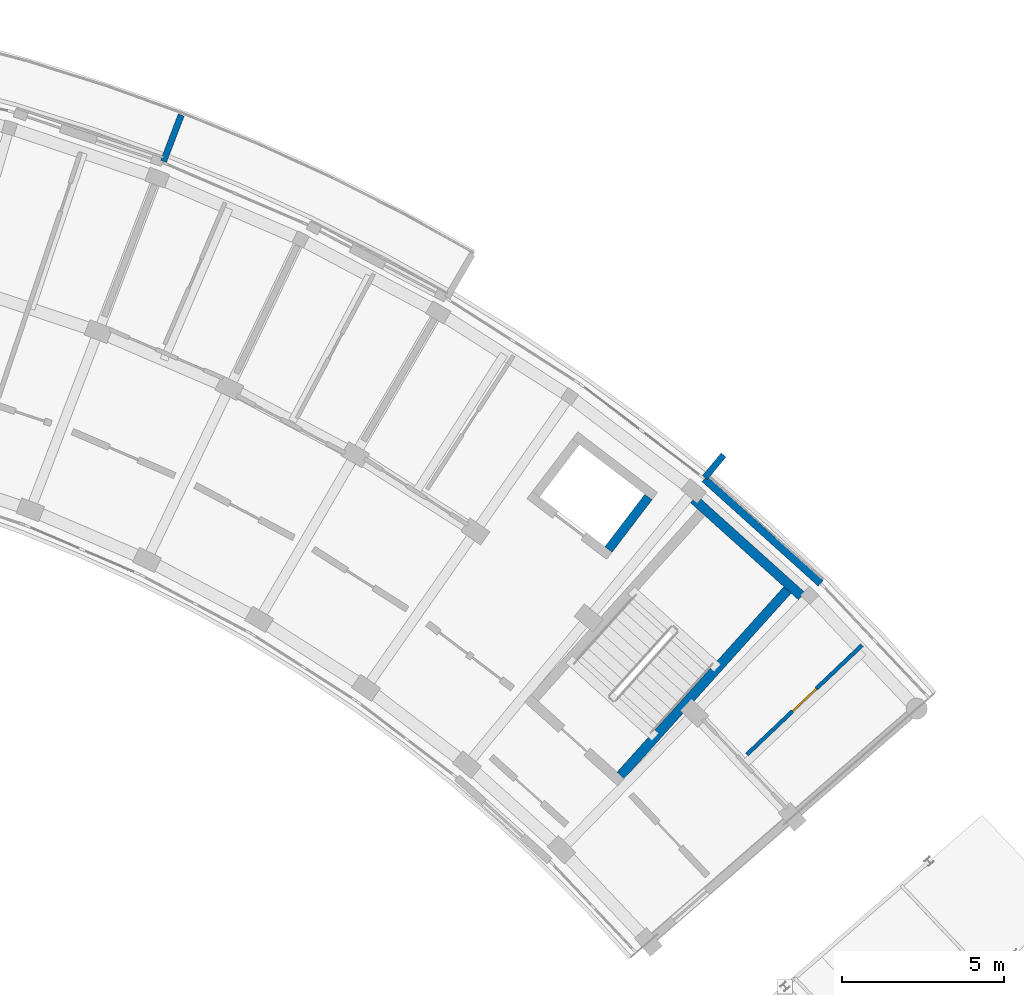
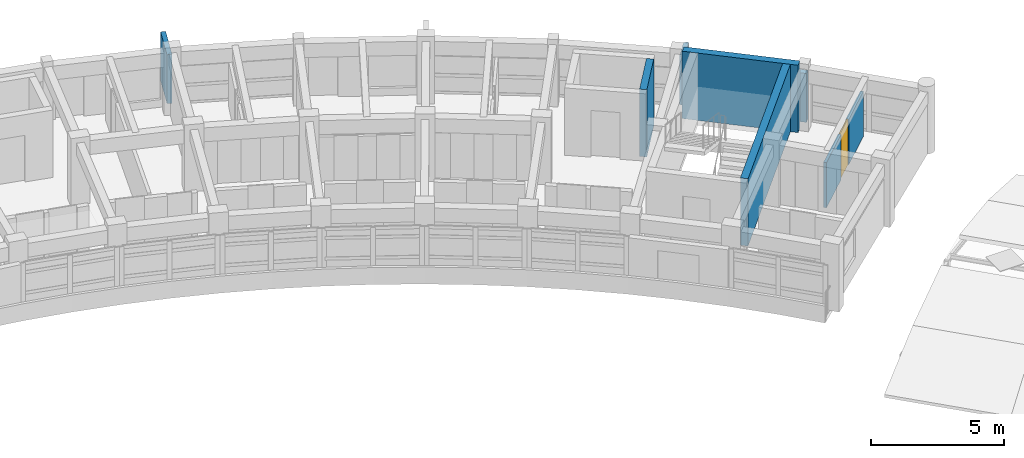
# One storey, part 30 of 40: 7 walls, 1 door, 1 opening.
"""IFC4 building model written with IfcOpenShell, lengths in metres."""

from ifc_helpers import new_model, si_unit, direction, frame, frame_2d, origin, place, context, subcontext, project, spatial, rectangle, extrude, material, layer, layer_set, type_object, element, fill, save


model = new_model("IFC4")

# Units and contexts
model_context = context("Model", 3, precision=1e-05, world=origin(), true_north=direction((0.0, 1.0)))
body_context = subcontext(model_context, "Body", "Model", "MODEL_VIEW")
ifc_project = project(units=[si_unit("LENGTHUNIT", "METRE"), si_unit("AREAUNIT", "SQUARE_METRE"), si_unit("VOLUMEUNIT", "CUBIC_METRE"), si_unit("PLANEANGLEUNIT", "RADIAN"), si_unit("MASSUNIT", "GRAM", prefix="KILO")], contexts=[model_context])

# Site, building, storey
site_placement = place(None, origin())
site = spatial("IfcSite", under=ifc_project, at=site_placement, CompositionType="ELEMENT")
building_placement = place(site_placement, origin())
building = spatial("IfcBuilding", under=site, at=building_placement, Name="Zimvara Arc Housing Community", CompositionType="ELEMENT")
storey_placement = place(building_placement, frame((0.0, 0.0, 32.89990234375)))
storey = spatial("IfcBuildingStorey", under=building, at=storey_placement, Name="L10", CompositionType="ELEMENT", Elevation=32.89990234375)

# Walls
ifc_material_1 = material(Name="Board-Marked Fair-Faced Concrete C35/45", Category="concrete")
ifc_layer_1 = layer(ifc_material_1, 0.22998046875)
ifc_layer_set_1 = layer_set([ifc_layer_1], Name="Board-Marked Fair-Faced Concrete C35/45")
wall_type_1 = type_object("IfcWallType", Name="EWL-CONC-230", PredefinedType="SOLIDWALL", material=ifc_layer_set_1)
wall_1_placement = place(storey_placement, frame((82.89697265625, 90.21337890625, 0.0), z_axis=(0.0, 0.0, 1.0), x_axis=(0.743387539862, -0.668860946369, 0.0)))
element("IfcWall", 1, at=wall_1_placement, inside=storey, type_object=wall_type_1, Name="ewall:blkB:L10:out:b8", PredefinedType="SOLIDWALL", context=body_context, shape_type="SweptSolid", body=[
    extrude(rectangle(XDim=4.80908203125, YDim=0.22998046875, at=frame_2d((2.404541015625, 0.0))), origin(), (0.0, 0.0, 1.0), 2.25),
])
ifc_material_2 = material(Name="Board-Marked Fair-Faced Concrete C35/45", Category="concrete")
ifc_layer_2 = layer(ifc_material_2, 0.195068359375)
ifc_layer_set_2 = layer_set([ifc_layer_2], Name="Board-Marked Fair-Faced Concrete C35/45")
wall_type_2 = type_object("IfcWallType", Name="EWL-PARA-195", PredefinedType="PARAPET", material=ifc_layer_set_2)
wall_2_placement = place(storey_placement, frame((66.216796875, 100.0029296875, 0.0), z_axis=(0.0, 0.0, 1.0), x_axis=(0.356957296461, 0.934120703391, 0.0)))
element("IfcWall", 2, at=wall_2_placement, inside=storey, type_object=wall_type_2, Name="finwall:blkB:L10:out:b4", PredefinedType="PARAPET", context=body_context, shape_type="SweptSolid", body=[
    extrude(rectangle(XDim=1.530029296875, YDim=0.195068359375, at=frame_2d((0.76513671875, 0.0))), origin(), (0.0, 0.0, 1.0), 2.25),
])
wall_3_placement = place(storey_placement, frame((82.90771484375, 90.25732421875, 0.0), z_axis=(0.0, 0.0, 1.0), x_axis=(0.637967316825, 0.770063440674, 0.0)))
element("IfcWall", 3, at=wall_3_placement, inside=storey, type_object=wall_type_2, Name="finwall:blkB:L10:out:b8", PredefinedType="PARAPET", context=body_context, shape_type="SweptSolid", body=[
    extrude(rectangle(XDim=0.900146484375, YDim=0.195068359375, at=frame_2d((0.4501953125, 0.0))), origin(), (0.0, 0.0, 1.0), 2.25),
])

# Wall, opening, door
ifc_material_3 = material(Name="Painted Acoustic Plasterboard")
ifc_layer_3 = layer(ifc_material_3, 0.1201171875)
ifc_layer_set_3 = layer_set([ifc_layer_3], Name="Painted Acoustic Plasterboard")
wall_type_3 = type_object("IfcWallType", Name="IWL-PART-120", PredefinedType="PARTITIONING", material=ifc_layer_set_3)
wall_4_placement = place(storey_placement, frame((84.1982421875, 81.71435546875, 0.0), z_axis=(0.0, 0.0, 1.0), x_axis=(0.725204659953, 0.688533369694, 0.0)))
wall_4 = element("IfcWall", 4, at=wall_4_placement, inside=storey, type_object=wall_type_3, Name="iwall:blkB:L10:bed_div:b9", PredefinedType="PARTITIONING", context=body_context, shape_type="SweptSolid", body=[
    extrude(rectangle(XDim=4.89990234375, YDim=0.1201171875, at=frame_2d((2.449951171875, 0.0))), origin(), (0.0, 0.0, 1.0), 2.080078125),
])
opening_placement = place(wall_4_placement, frame((1.945068359375, 0.0, 0.0)))
opening = element("IfcOpeningElement", 5, at=opening_placement, cuts=wall_4, Name="Opening D15", PredefinedType="OPENING", context=body_context, shape_type="SweptSolid", body=[
    extrude(rectangle(XDim=1.010009765625, YDim=2.10009765625, at=frame_2d((0.5048828125, 1.050048828125))), frame((0.0, 0.070068359375, 0.0), z_axis=(0.0, -1.0, 0.0), x_axis=(1.0, 0.0, 0.0)), (0.0, 0.0, 1.0), 0.14013671875),
])
ifc_material_4 = material(Name="Mozambican Hardwood", Category="wood")
door_type = type_object("IfcDoorType", Name="IDR-MOD-1010x2160", OperationType="NOTDEFINED", PredefinedType="DOOR", material=ifc_material_4)
door_placement = place(opening_placement, origin())
door = element("IfcDoor", 6, at=door_placement, inside=storey, type_object=door_type, Name="idoor:blkB:L10:bed_d:b9", OperationType="SINGLE_SWING_LEFT", OverallHeight=2.10009765625, OverallWidth=1.010009765625, PredefinedType="DOOR", context=body_context, shape_type="SweptSolid", body=[
    extrude(rectangle(XDim=1.010009765625, YDim=2.10009765625, at=frame_2d((0.5048828125, 1.050048828125))), frame((0.0, 0.02490234375, 0.0), z_axis=(0.0, -1.0, 0.0), x_axis=(1.0, 0.0, 0.0)), (0.0, 0.0, 1.0), 0.050048828125),
])
fill(opening, door)

# Walls
ifc_material_5 = material(Name="Concrete C40/50", Category="concrete")
ifc_layer_4 = layer(ifc_material_5, 0.280029296875)
ifc_layer_set_4 = layer_set([ifc_layer_4], Name="Concrete C40/50")
wall_type_4 = type_object("IfcWallType", Name="WL-CORE-280", PredefinedType="SHEAR", material=ifc_layer_set_4)
wall_5_placement = place(storey_placement, frame((79.934814453125, 88.0400390625, 0.0), z_axis=(0.0, 0.0, 1.0), x_axis=(0.606025097418, 0.795445523779, 0.0)))
element("IfcWall", 7, at=wall_5_placement, inside=storey, type_object=wall_type_4, Name="lwall:LP-B2:L10:left", PredefinedType="SHEAR", context=body_context, shape_type="SweptSolid", body=[
    extrude(rectangle(XDim=2.030029296875, YDim=0.280029296875, at=frame_2d((1.01513671875, 0.0))), origin(), (0.0, 0.0, 1.0), 3.10009765625),
])
ifc_material_6 = material(Name="Concrete C40/50", Category="concrete")
ifc_layer_5 = layer(ifc_material_6, 0.300048828125)
ifc_layer_set_5 = layer_set([ifc_layer_5], Name="Concrete C40/50")
wall_type_5 = type_object("IfcWallType", Name="WL-CORE-300", PredefinedType="SHEAR", material=ifc_layer_set_5)
wall_6_placement = place(storey_placement, frame((85.887451171875, 86.6005859375, 0.0), z_axis=(0.0, 0.0, 1.0), x_axis=(-0.743400052815, 0.668847038922, 0.0)))
element("IfcWall", 8, at=wall_6_placement, inside=storey, type_object=wall_type_5, Name="cwall:ST-B2:L10:far", PredefinedType="SHEAR", context=body_context, shape_type="SweptSolid", body=[
    extrude(rectangle(XDim=4.469970703125, YDim=0.300048828125, at=frame_2d((2.23486328125, 0.0))), origin(), (0.0, 0.0, 1.0), 3.10009765625),
])
wall_7_placement = place(storey_placement, frame((80.308837890625, 81.073486328125, 0.0), z_axis=(0.0, 0.0, 1.0), x_axis=(0.668885797871, 0.743365179038, 0.0)))
element("IfcWall", 9, at=wall_7_placement, inside=storey, type_object=wall_type_5, Name="cwall:ST-B2:L10:left", PredefinedType="SHEAR", context=body_context, shape_type="SweptSolid", body=[
    extrude(rectangle(XDim=7.690185546875, YDim=0.300048828125, at=frame_2d((3.84521484375, 0.0))), origin(), (0.0, 0.0, 1.0), 3.10009765625),
])

save(model, "model.ifc")
